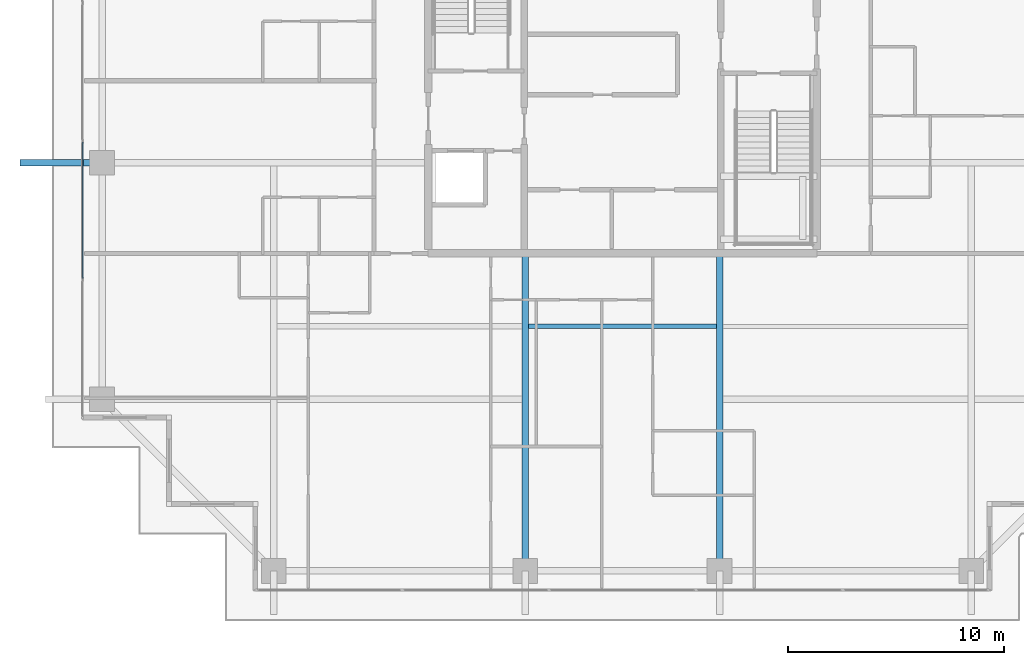
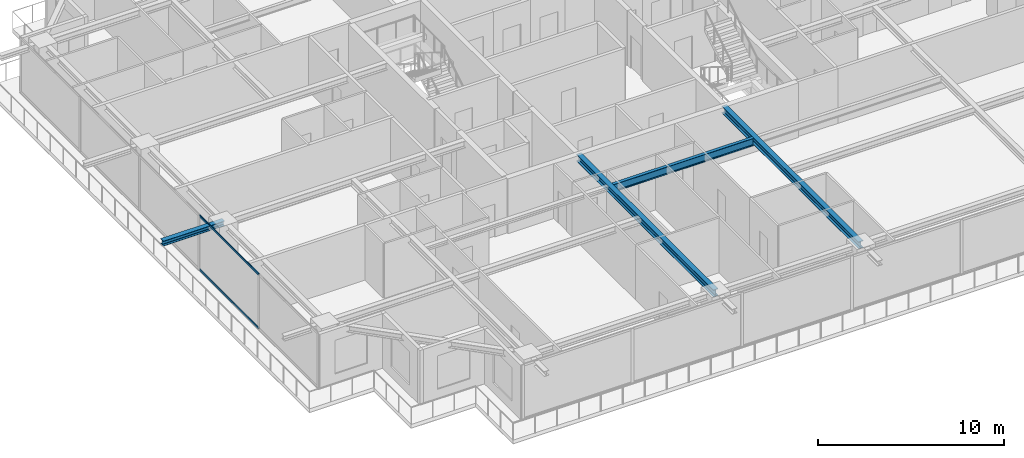
# One storey, part 6 of 37: 4 beams, 2 members, 1 element without a shape of its own.
"""IFC4 building model written with IfcOpenShell, lengths in metres."""

import ifcopenshell
import ifcopenshell.guid

model = None  # the IFC model being written
_history = None  # IfcOwnerHistory: only IFC2X3 demands one
_inside = {}  # id of a spatial element -> (the spatial element, [elements in it])
_under = {}  # id of a project, library or spatial element -> (it, [spatial elements below it])
_declared = {}  # id of a project -> (the project, [libraries it declares])
_typed = {}  # id of a type object -> (the type object, [elements of that type])
_made_of = {}  # id of a material, layer set ... -> (it, [elements and type objects made of it])


def new_model(schema):
    """Start an empty IFC model of exactly this schema.

    Asked for "IFC4X3", IfcOpenShell would pick the latest addendum, in which some entities
    have other attributes; the version numbers below select the first issue.
    IFC2X3 requires an IfcOwnerHistory on every rooted entity: one is made here for all.
    """
    global model, _history
    if schema == "IFC4X3":
        model = ifcopenshell.file(schema_version=(4, 3, 0, 0))
    else:
        model = ifcopenshell.file(schema=schema)
    _inside.clear()
    _under.clear()
    _declared.clear()
    _typed.clear()
    _made_of.clear()
    _history = None
    if model.schema == "IFC2X3":
        org = make("IfcOrganization", Name="unknown")
        user = make(
            "IfcPersonAndOrganization",
            ThePerson=make("IfcPerson", FamilyName="unknown"),
            TheOrganization=org,
        )
        app = make(
            "IfcApplication",
            ApplicationDeveloper=org,
            Version="unknown",
            ApplicationFullName="unknown",
            ApplicationIdentifier="unknown",
        )
        _history = make(
            "IfcOwnerHistory",
            OwningUser=user,
            OwningApplication=app,
            ChangeAction="ADDED",
            CreationDate=0,
        )
    return model


def make(cls, **values):
    """One entity of the class cls with the attributes given. An attribute that is None is left unset."""
    return model.create_entity(
        cls, **{name: value for name, value in values.items() if value is not None}
    )


def rooted(cls, **values):
    """An entity with a GlobalId (a new one), such as an element, a storey or a relation."""
    return make(cls, GlobalId=ifcopenshell.guid.new(), OwnerHistory=_history, **values)


def si_unit(unit_type, name, prefix=None):
    """IfcSIUnit, for example si_unit("LENGTHUNIT", "METRE", prefix="MILLI")."""
    return make("IfcSIUnit", UnitType=unit_type, Prefix=prefix, Name=name)


def assignment(units):
    """IfcUnitAssignment: the units of a project."""
    return None if units is None else make("IfcUnitAssignment", Units=units)


def point(xyz):
    """IfcCartesianPoint."""
    return None if xyz is None else make("IfcCartesianPoint", Coordinates=xyz)


def direction(xyz):
    """IfcDirection."""
    return None if xyz is None else make("IfcDirection", DirectionRatios=xyz)


def frame(location, z_axis=None, x_axis=None):
    """IfcAxis2Placement3D, a coordinate frame: its origin and axes. An axis left out is left unset."""
    return make(
        "IfcAxis2Placement3D",
        Location=point(location),
        Axis=direction(z_axis),
        RefDirection=direction(x_axis),
    )


def frame_2d(location, x_axis=None):
    """IfcAxis2Placement2D, a coordinate frame in the plane: its origin and x axis."""
    return make(
        "IfcAxis2Placement2D", Location=point(location), RefDirection=direction(x_axis)
    )


def origin():
    """The frame at (0, 0, 0) with its axes left unset."""
    return frame((0.0, 0.0, 0.0))


def origin_2d():
    """The frame at (0, 0) in the plane with its x axis left unset."""
    return frame_2d((0.0, 0.0))


def place(relative_to, where):
    """IfcLocalPlacement: puts the frame where relative to a parent placement (None: the world)."""
    return make(
        "IfcLocalPlacement", PlacementRelTo=relative_to, RelativePlacement=where
    )


def context(
    kind, dimensions, precision=None, world=None, true_north=None, identifier=None
):
    """IfcGeometricRepresentationContext, for example the 3D "Model" context."""
    return make(
        "IfcGeometricRepresentationContext",
        ContextIdentifier=identifier,
        ContextType=kind,
        CoordinateSpaceDimension=dimensions,
        Precision=precision,
        WorldCoordinateSystem=world,
        TrueNorth=true_north,
    )


def subcontext(parent, identifier, kind, view, scale=None):
    """IfcGeometricRepresentationSubContext, for example "Body" below "Model"."""
    return make(
        "IfcGeometricRepresentationSubContext",
        ContextIdentifier=identifier,
        ContextType=kind,
        ParentContext=parent,
        TargetScale=scale,
        TargetView=view,
    )


def project(units=None, contexts=None):
    """IfcProject with its units and contexts."""
    return rooted(
        "IfcProject",
        Name="project",
        RepresentationContexts=contexts,
        UnitsInContext=assignment(units),
    )


def spatial(cls, under=None, at=None, **own):
    """A site, building, storey or space (cls), placed at a placement, below another one or the project."""
    s = rooted(cls, ObjectPlacement=at, **own)
    if under is not None:
        _under.setdefault(under.id(), (under, []))[1].append(s)
    return s


def profile(cls, at=None, kind="AREA", **sizes):
    """A parametric profile (cls). Its sizes go by their IFC names, for example OverallWidth=200.0."""
    return make(cls, ProfileType=kind, Position=at, **sizes)


def hollow_rectangle(**sizes):
    """IfcRectangleHollowProfileDef."""
    return profile("IfcRectangleHollowProfileDef", **sizes)


def i_section(**sizes):
    """IfcIShapeProfileDef."""
    return profile("IfcIShapeProfileDef", **sizes)


def extrude(swept, where, along, depth):
    """IfcExtrudedAreaSolid: the profile swept, set in the frame where, extruded along a direction by depth."""
    return make(
        "IfcExtrudedAreaSolid",
        SweptArea=swept,
        Position=where,
        ExtrudedDirection=direction(along),
        Depth=depth,
    )


def shape(context_of_items, identifier, shape_type, items):
    """IfcShapeRepresentation: the items that make up one representation, for example the "Body"."""
    return make(
        "IfcShapeRepresentation",
        ContextOfItems=context_of_items,
        RepresentationIdentifier=identifier,
        RepresentationType=shape_type,
        Items=items,
    )


def source(mapping_origin, context_of_items, identifier, shape_type, items):
    """IfcRepresentationMap: a shape defined once, which mapped items show again and again."""
    return make(
        "IfcRepresentationMap",
        MappingOrigin=mapping_origin,
        MappedRepresentation=shape(context_of_items, identifier, shape_type, items),
    )


def transform(
    local_origin,
    x_axis=None,
    y_axis=None,
    z_axis=None,
    scale=None,
    scale2=None,
    scale3=None,
    uniform=True,
):
    """IfcCartesianTransformationOperator3D, or its non-uniform kind. x_axis, y_axis, z_axis: its Axis1, 2, 3."""
    if uniform:
        return make(
            "IfcCartesianTransformationOperator3D",
            Axis1=direction(x_axis),
            Axis2=direction(y_axis),
            LocalOrigin=point(local_origin),
            Scale=scale,
            Axis3=direction(z_axis),
        )
    return make(
        "IfcCartesianTransformationOperator3DnonUniform",
        Axis1=direction(x_axis),
        Axis2=direction(y_axis),
        LocalOrigin=point(local_origin),
        Scale=scale,
        Axis3=direction(z_axis),
        Scale2=scale2,
        Scale3=scale3,
    )


def mapped(mapping_source, mapping_target):
    """IfcMappedItem: shows the shape of a source again, moved by a transform."""
    return make(
        "IfcMappedItem", MappingSource=mapping_source, MappingTarget=mapping_target
    )


def material(Name=None, Category=None):
    """IfcMaterial."""
    return make("IfcMaterial", Name=Name, Category=Category)


def layer(
    of_material, thickness, ventilated=None, Name=None, Category=None, Priority=None
):
    """IfcMaterialLayer: one layer of a wall or slab, of a material (None: an air gap)."""
    return make(
        "IfcMaterialLayer",
        Material=of_material,
        LayerThickness=thickness,
        IsVentilated=ventilated,
        Name=Name,
        Category=Category,
        Priority=Priority,
    )


def layer_set(layers, Name=None):
    """IfcMaterialLayerSet."""
    return make("IfcMaterialLayerSet", MaterialLayers=layers, LayerSetName=Name)


def material_profile(
    of_material, cross_section, Name=None, Category=None, Priority=None
):
    """IfcMaterialProfile: a cross section and its material."""
    return make(
        "IfcMaterialProfile",
        Name=Name,
        Material=of_material,
        Profile=cross_section,
        Priority=Priority,
        Category=Category,
    )


def profile_set(profiles, Name=None, composite=None):
    """IfcMaterialProfileSet."""
    return make(
        "IfcMaterialProfileSet",
        Name=Name,
        MaterialProfiles=profiles,
        CompositeProfile=composite,
    )


def made_of(thing, what):
    """Note that an element or type object is made of a material, layer set ...; save() writes the relation."""
    if what is not None:
        _made_of.setdefault(what.id(), (what, []))[1].append(thing)
    return thing


def type_object(cls, material=None, **own):
    """A type object (cls), such as IfcWallType, which elements share."""
    return made_of(rooted(cls, **own), material)


def element(
    cls,
    number,
    at=None,
    inside=None,
    cuts=None,
    type_object=None,
    material=None,
    context=None,
    identifier="Body",
    shape_type=None,
    held_by="IfcProductDefinitionShape",
    body=None,
    shapes=None,
    **own,
):
    """One element of the class cls, such as IfcWall. Its Tag is "e" and its number.

    at: its placement. inside: the storey or other place that contains it. cuts: it is an
    opening in that element (IfcRelVoidsElement). A single representation is given by context,
    identifier, shape_type and body (its items); several are given by shapes. held_by: the class
    of the entity that holds the representations. save() writes the other relations.
    """
    e = rooted(cls, Tag="e%d" % number, ObjectPlacement=at, **own)
    if body is not None:
        shapes = [shape(context, identifier, shape_type, body)]
    if shapes is not None:
        e.Representation = make(held_by, Representations=shapes)
    if inside is not None:
        _inside.setdefault(inside.id(), (inside, []))[1].append(e)
    if cuts is not None:
        rooted(
            "IfcRelVoidsElement", RelatingBuildingElement=cuts, RelatedOpeningElement=e
        )
    if type_object is not None:
        _typed.setdefault(type_object.id(), (type_object, []))[1].append(e)
    return made_of(e, material)


def aggregate(whole, parts):
    """IfcRelAggregates: a whole, such as a stair, and the parts it consists of."""
    return rooted("IfcRelAggregates", RelatingObject=whole, RelatedObjects=parts)


def save(model, path):
    """Write the relations noted so far, then the file.

    IfcRelAggregates (storeys below a building ...), IfcRelContainedInSpatialStructure (elements
    in a storey), IfcRelDefinesByType, IfcRelAssociatesMaterial and IfcRelDeclares: one each for
    every whole, place, type object, material and project.
    """
    for whole, parts in _under.values():
        aggregate(whole, parts)
    for where, things in _inside.values():
        rooted(
            "IfcRelContainedInSpatialStructure",
            RelatedElements=things,
            RelatingStructure=where,
        )
    for kind, things in _typed.values():
        rooted("IfcRelDefinesByType", RelatedObjects=things, RelatingType=kind)
    for what, things in _made_of.values():
        rooted("IfcRelAssociatesMaterial", RelatedObjects=things, RelatingMaterial=what)
    for by, libraries in _declared.values():
        rooted("IfcRelDeclares", RelatingContext=by, RelatedDefinitions=libraries)
    model.write(path)


model = new_model("IFC4")

# Units and contexts
model_context = context("Model", 3, precision=1e-05, world=origin(), true_north=direction((0.0, 1.0)))
body_context = subcontext(model_context, "Body", "Model", "MODEL_VIEW")
ifc_project = project(units=[si_unit("LENGTHUNIT", "METRE"), si_unit("AREAUNIT", "SQUARE_METRE"), si_unit("VOLUMEUNIT", "CUBIC_METRE"), si_unit("PLANEANGLEUNIT", "RADIAN"), si_unit("MASSUNIT", "GRAM", prefix="KILO")], contexts=[model_context])

# Site, building, storey
site_placement = place(None, origin())
site = spatial("IfcSite", under=ifc_project, at=site_placement, CompositionType="ELEMENT")
building_placement = place(site_placement, origin())
building = spatial("IfcBuilding", under=site, at=building_placement, Name="Serunith Strait Residences", CompositionType="ELEMENT")
storey_placement = place(building_placement, frame((0.0, 0.0, 248.949951171875)))
storey = spatial("IfcBuildingStorey", under=building, at=storey_placement, Name="L62", CompositionType="ELEMENT", Elevation=248.949951171875)

# Beams
ifc_material_1 = material(Name="Steel S355J2", Category="steel")
ifc_material_profile_1 = material_profile(ifc_material_1, i_section(OverallWidth=0.199951171875, OverallDepth=0.5, WebThickness=0.01025390625, FlangeThickness=0.01611328125, FilletRadius=0.02099609375, at=origin_2d()), Name="IPE 500")
ifc_profile_set_1 = profile_set([ifc_material_profile_1], Name="Steel S355J2")
beam_type_1 = type_object("IfcBeamType", Name="BM-IPE500", PredefinedType="JOIST", material=ifc_profile_set_1)
shared_shape_1 = source(origin(), body_context, "Body", "SweptSolid", [
    extrude(i_section(OverallWidth=0.199951171875, OverallDepth=0.5, WebThickness=0.01025390625, FlangeThickness=0.01611328125, FilletRadius=0.02099609375, at=origin_2d()), origin(), (0.0, 0.0, 1.0), 8.699951171875),
])
beam_1_placement = place(storey_placement, frame((28.050048828125, 13.425048828125, 3.337158203125), z_axis=(1.0, 0.0, 0.0), x_axis=(0.0, 1.0, 0.0)))
element("IfcBeam", 1, at=beam_1_placement, inside=storey, type_object=beam_type_1, Name="L62 Composite Floor Joist 02", PredefinedType="JOIST", context=body_context, shape_type="MappedRepresentation", body=[
    mapped(shared_shape_1, transform((0.0, 0.0, 0.0), scale=1.0)),
])
ifc_material_profile_2 = material_profile(ifc_material_1, i_section(OverallWidth=0.300048828125, OverallDepth=0.449951171875, WebThickness=0.013916015625, FlangeThickness=0.02587890625, FilletRadius=0.027099609375, at=origin_2d()), Name="HEB 450")
ifc_profile_set_2 = profile_set([ifc_material_profile_2], Name="Steel S355J2")
beam_type_2 = type_object("IfcBeamType", Name="BM-HEB450", PredefinedType="BEAM", material=ifc_profile_set_2)
shared_shape_2 = source(origin(), body_context, "Body", "SweptSolid", [
    extrude(i_section(OverallWidth=0.300048828125, OverallDepth=0.449951171875, WebThickness=0.013916015625, FlangeThickness=0.02587890625, FilletRadius=0.027099609375, at=origin_2d()), origin(), (0.0, 0.0, 1.0), 14.699951171875),
])
for number, where, z_axis, x_axis, name in (
    (2, (27.89990234375, 16.800048828125, 3.362060546875), (0.0, -1.0, 0.0), (1.0, 0.0, 0.0), "L62 Primary Floor Girder TC-S2"),
    (3, (36.89990234375, 16.800048828125, 3.362060546875), (0.0, -1.0, 0.0), (1.0, 0.0, 0.0), "L62 Primary Floor Girder TC-S3"),
):
    element("IfcBeam", number, at=place(storey_placement, frame(where, z_axis=z_axis, x_axis=x_axis)), inside=storey, type_object=beam_type_2, Name=name, PredefinedType="BEAM", context=body_context, shape_type="MappedRepresentation", body=[
        mapped(shared_shape_2, transform((0.0, 0.0, 0.0), scale=1.0)),
    ])
ifc_material_profile_3 = material_profile(ifc_material_1, i_section(OverallWidth=0.300048828125, OverallDepth=0.320068359375, WebThickness=0.011474609375, FlangeThickness=0.0205078125, FilletRadius=0.027099609375, at=origin_2d()), Name="HEB 320")
ifc_profile_set_3 = profile_set([ifc_material_profile_3], Name="Steel S355J2")
beam_type_3 = type_object("IfcBeamType", Name="BM-HEB320", PredefinedType="BEAM", material=ifc_profile_set_3)
shared_shape_3 = source(origin(), body_context, "Body", "SweptSolid", [
    extrude(i_section(OverallWidth=0.300048828125, OverallDepth=0.320068359375, WebThickness=0.011474609375, FlangeThickness=0.0205078125, FilletRadius=0.027099609375, at=origin_2d()), origin(), (0.0, 0.0, 1.0), 3.800048828125),
])
beam_2_placement = place(storey_placement, frame((8.300048828125, 21.0, 3.39697265625), z_axis=(-1.0, 0.0, 0.0), x_axis=(0.0, -1.0, 0.0)))
element("IfcBeam", 4, at=beam_2_placement, inside=storey, type_object=beam_type_3, Name="L63 Cantilevered Balcony Rib TC-W2", PredefinedType="BEAM", context=body_context, shape_type="MappedRepresentation", body=[
    mapped(shared_shape_3, transform((0.0, 0.0, 0.0), scale=1.0)),
])

# Curtain wall, members
ifc_material_2 = material(Name="Pale-Champagne Anodised Aluminium", Category="aluminium")
ifc_layer = layer(ifc_material_2, 0.199951171875, Name="Pale-Champagne Anodised Aluminium")
ifc_layer_set = layer_set([ifc_layer], Name="Pale-Champagne Anodised Aluminium")
curtain_wall_type = type_object("IfcCurtainWallType", Name="CW-SYS4", PredefinedType="NOTDEFINED", material=ifc_layer_set)
curtain_wall_placement = place(storey_placement, origin())
curtain_wall = element("IfcCurtainWall", 5, at=curtain_wall_placement, inside=storey, type_object=curtain_wall_type, Name="L62 W Unitised Fritted Curtain Wall", PredefinedType="NOTDEFINED")
ifc_material_profile_4 = material_profile(ifc_material_2, hollow_rectangle(XDim=0.06005859375, YDim=0.139892578125, WallThickness=0.00341796875, InnerFilletRadius=0.00537109375, OuterFilletRadius=0.0087890625, at=origin_2d()), Name="ALU 140x60x3.5")
ifc_profile_set_4 = profile_set([ifc_material_profile_4], Name="Pale-Champagne Anodised Aluminium")
member_type = type_object("IfcMemberType", Name="CW-SYS4-TRAN", PredefinedType="USERDEFINED", material=ifc_profile_set_4)
shared_shape_4 = source(origin(), body_context, "Body", "SweptSolid", [
    extrude(hollow_rectangle(XDim=0.06005859375, YDim=0.139892578125, WallThickness=0.00341796875, InnerFilletRadius=0.00537109375, OuterFilletRadius=0.0087890625, at=origin_2d()), origin(), (0.0, 0.0, 1.0), 6.3349609375),
])
member_1_placement = place(storey_placement, frame((7.39990234375, 21.967529296875, 0.030029296875), z_axis=(0.0, -1.0, 0.0), x_axis=(1.0, 0.0, 0.0)))
member_1 = element("IfcMember", 6, at=member_1_placement, type_object=member_type, Name="CW-4 transom 4.1", ObjectType="TRANSOM", PredefinedType="USERDEFINED", context=body_context, shape_type="MappedRepresentation", body=[
    mapped(shared_shape_4, transform((0.0, 0.0, 0.0), scale=1.0)),
])
member_2_placement = place(storey_placement, frame((7.39990234375, 21.967529296875, 3.545166015625), z_axis=(0.0, -1.0, 0.0), x_axis=(1.0, 0.0, 0.0)))
member_2 = element("IfcMember", 7, at=member_2_placement, type_object=member_type, Name="CW-4 transom 4.2", ObjectType="TRANSOM", PredefinedType="USERDEFINED", context=body_context, shape_type="MappedRepresentation", body=[
    mapped(shared_shape_4, transform((0.0, 0.0, 0.0), scale=1.0)),
])
aggregate(curtain_wall, [member_1, member_2])

save(model, "model.ifc")
